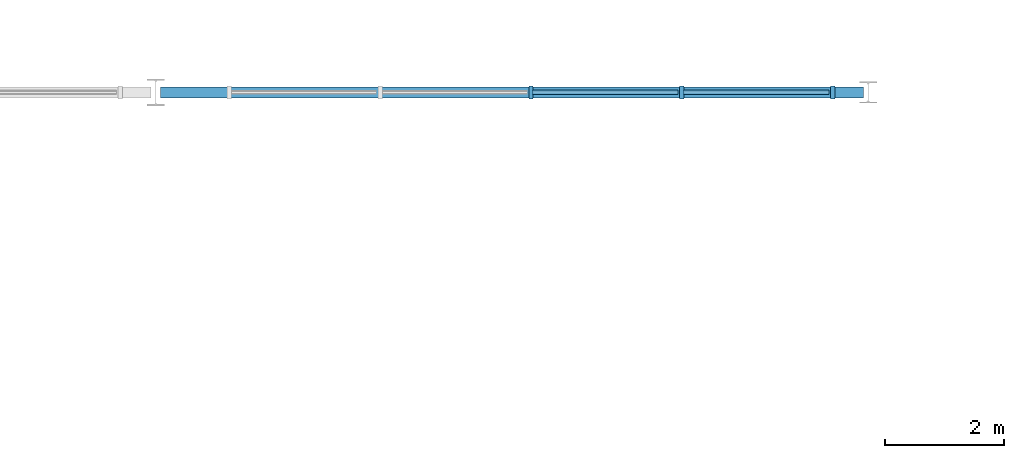
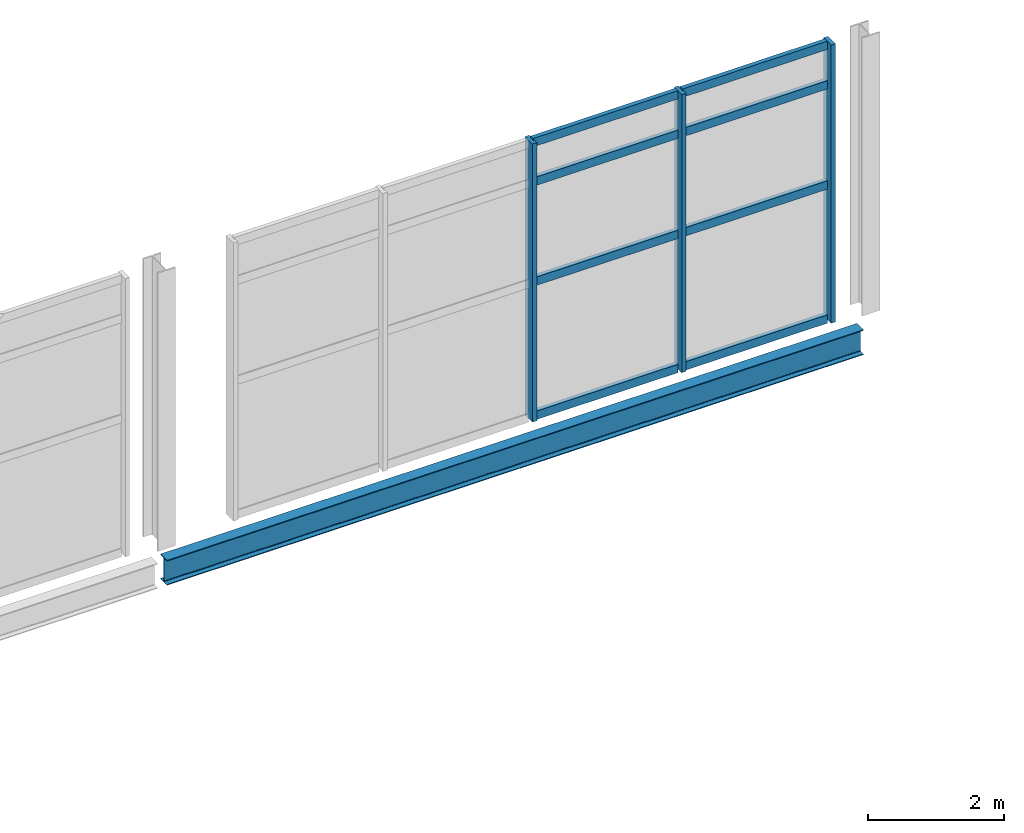
# One storey, part 53 of 89: 11 members, 1 beam, 1 element without a shape of its own.
"""IFC4 building model written with IfcOpenShell, lengths in metres."""

from ifc_helpers import new_model, si_unit, direction, frame, origin, origin_2d, place, context, subcontext, project, spatial, rectangle, i_section, extrude, material, material_profile, profile_set, type_object, element, aggregate, save


model = new_model("IFC4")

# Units and contexts
model_context = context("Model", 3, precision=1e-05, world=origin(), true_north=direction((0.0, 1.0)))
body_context = subcontext(model_context, "Body", "Model", "MODEL_VIEW")
ifc_project = project(units=[si_unit("LENGTHUNIT", "METRE"), si_unit("AREAUNIT", "SQUARE_METRE"), si_unit("VOLUMEUNIT", "CUBIC_METRE"), si_unit("PLANEANGLEUNIT", "RADIAN"), si_unit("MASSUNIT", "GRAM", prefix="KILO"), si_unit("THERMODYNAMICTEMPERATUREUNIT", "KELVIN"), si_unit("POWERUNIT", "WATT")], contexts=[model_context])

# Site, building, storey
site_placement = place(None, origin())
site = spatial("IfcSite", under=ifc_project, at=site_placement, CompositionType="ELEMENT")
building_placement = place(site_placement, origin())
building = spatial("IfcBuilding", under=site, at=building_placement, Name="Solmara Park Aquatics Centre", CompositionType="ELEMENT")
storey_placement = place(building_placement, frame((0.0, 0.0, 5.39990234375)))
storey = spatial("IfcBuildingStorey", under=building, at=storey_placement, Name="L01", CompositionType="ELEMENT", Elevation=5.39990234375)

# Curtain wall, members
ifc_material_1 = material(Name="Anodised Aluminium Curtain Wall Framing", Category="aluminium")
curtain_wall_type = type_object("IfcCurtainWallType", Name="ARC-CW-SYS03", PredefinedType="USERDEFINED", material=ifc_material_1)
curtain_wall_placement = place(storey_placement, origin())
curtain_wall = element("IfcCurtainWall", 1, at=curtain_wall_placement, inside=storey, type_object=curtain_wall_type, Name="Curtain Wall CW-123", ObjectType="CURTAIN WALL", PredefinedType="USERDEFINED")
ifc_material_2 = material(Name="Anodised Aluminium Alloy 6063-T6", Category="aluminium")
ifc_material_profile_1 = material_profile(ifc_material_2, rectangle(XDim=0.074951171875, YDim=0.219970703125, at=origin_2d()), Name="ALU MULLION 75x220")
ifc_profile_set_1 = profile_set([ifc_material_profile_1], Name="Anodised Aluminium Alloy 6063-T6")
member_type_1 = type_object("IfcMemberType", Name="ARC-CWM-75x220", PredefinedType="MULLION", material=ifc_profile_set_1)
member_1_placement = place(storey_placement, frame((150.320068359375, 136.0, 0.0), z_axis=(0.0, 0.0, 1.0), x_axis=(1.0, 0.0, 0.0)))
member_1 = element("IfcMember", 2, at=member_1_placement, type_object=member_type_1, Name="CW-123 mullion 3", PredefinedType="MULLION", context=body_context, shape_type="SweptSolid", body=[
    extrude(rectangle(XDim=0.074951171875, YDim=0.219970703125, at=origin_2d()), origin(), (0.0, 0.0, 1.0), 5.0),
])
member_2_placement = place(storey_placement, frame((152.860107421875, 136.0, 0.0), z_axis=(0.0, 0.0, 1.0), x_axis=(1.0, 0.0, 0.0)))
member_2 = element("IfcMember", 3, at=member_2_placement, type_object=member_type_1, Name="CW-123 mullion 4", PredefinedType="MULLION", context=body_context, shape_type="SweptSolid", body=[
    extrude(rectangle(XDim=0.074951171875, YDim=0.219970703125, at=origin_2d()), origin(), (0.0, 0.0, 1.0), 5.0),
])
member_3_placement = place(storey_placement, frame((155.39990234375, 136.0, 0.0), z_axis=(0.0, 0.0, 1.0), x_axis=(1.0, 0.0, 0.0)))
member_3 = element("IfcMember", 4, at=member_3_placement, type_object=member_type_1, Name="CW-123 mullion 5", PredefinedType="MULLION", context=body_context, shape_type="SweptSolid", body=[
    extrude(rectangle(XDim=0.074951171875, YDim=0.219970703125, at=origin_2d()), origin(), (0.0, 0.0, 1.0), 5.0),
])
ifc_material_profile_2 = material_profile(ifc_material_2, rectangle(XDim=0.074951171875, YDim=0.14990234375, at=origin_2d()), Name="ALU TRANSOM 75x150")
ifc_profile_set_2 = profile_set([ifc_material_profile_2], Name="Anodised Aluminium Alloy 6063-T6")
member_type_2 = type_object("IfcMemberType", Name="ARC-CWT-75x150", PredefinedType="USERDEFINED", material=ifc_profile_set_2)
member_4_placement = place(storey_placement, frame((150.340087890625, 136.0, 0.0400390625), z_axis=(1.0, 0.0, 0.0), x_axis=(0.0, 1.0, 0.0)))
member_4 = element("IfcMember", 5, at=member_4_placement, type_object=member_type_2, Name="CW-123 transom 9", ObjectType="TRANSOM", PredefinedType="USERDEFINED", context=body_context, shape_type="SweptSolid", body=[
    extrude(rectangle(XDim=0.074951171875, YDim=0.14990234375, at=origin_2d()), origin(), (0.0, 0.0, 1.0), 2.4599609375),
])
member_5_placement = place(storey_placement, frame((150.340087890625, 136.0, 2.4501953125), z_axis=(1.0, 0.0, 0.0), x_axis=(0.0, 1.0, 0.0)))
member_5 = element("IfcMember", 6, at=member_5_placement, type_object=member_type_2, Name="CW-123 transom 10", ObjectType="TRANSOM", PredefinedType="USERDEFINED", context=body_context, shape_type="SweptSolid", body=[
    extrude(rectangle(XDim=0.074951171875, YDim=0.14990234375, at=origin_2d()), origin(), (0.0, 0.0, 1.0), 2.4599609375),
])
member_6_placement = place(storey_placement, frame((150.340087890625, 136.0, 4.25), z_axis=(1.0, 0.0, 0.0), x_axis=(0.0, 1.0, 0.0)))
member_6 = element("IfcMember", 7, at=member_6_placement, type_object=member_type_2, Name="CW-123 transom 11", ObjectType="TRANSOM", PredefinedType="USERDEFINED", context=body_context, shape_type="SweptSolid", body=[
    extrude(rectangle(XDim=0.074951171875, YDim=0.14990234375, at=origin_2d()), origin(), (0.0, 0.0, 1.0), 2.4599609375),
])
member_7_placement = place(storey_placement, frame((150.340087890625, 136.0, 4.960205078125), z_axis=(1.0, 0.0, 0.0), x_axis=(0.0, 1.0, 0.0)))
member_7 = element("IfcMember", 8, at=member_7_placement, type_object=member_type_2, Name="CW-123 transom 12", ObjectType="TRANSOM", PredefinedType="USERDEFINED", context=body_context, shape_type="SweptSolid", body=[
    extrude(rectangle(XDim=0.074951171875, YDim=0.14990234375, at=origin_2d()), origin(), (0.0, 0.0, 1.0), 2.4599609375),
])
member_8_placement = place(storey_placement, frame((152.8798828125, 136.0, 0.0400390625), z_axis=(1.0, 0.0, 0.0), x_axis=(0.0, 1.0, 0.0)))
member_8 = element("IfcMember", 9, at=member_8_placement, type_object=member_type_2, Name="CW-123 transom 13", ObjectType="TRANSOM", PredefinedType="USERDEFINED", context=body_context, shape_type="SweptSolid", body=[
    extrude(rectangle(XDim=0.074951171875, YDim=0.14990234375, at=origin_2d()), origin(), (0.0, 0.0, 1.0), 2.460205078125),
])
member_9_placement = place(storey_placement, frame((152.8798828125, 136.0, 2.4501953125), z_axis=(1.0, 0.0, 0.0), x_axis=(0.0, 1.0, 0.0)))
member_9 = element("IfcMember", 10, at=member_9_placement, type_object=member_type_2, Name="CW-123 transom 14", ObjectType="TRANSOM", PredefinedType="USERDEFINED", context=body_context, shape_type="SweptSolid", body=[
    extrude(rectangle(XDim=0.074951171875, YDim=0.14990234375, at=origin_2d()), origin(), (0.0, 0.0, 1.0), 2.460205078125),
])
member_10_placement = place(storey_placement, frame((152.8798828125, 136.0, 4.25), z_axis=(1.0, 0.0, 0.0), x_axis=(0.0, 1.0, 0.0)))
member_10 = element("IfcMember", 11, at=member_10_placement, type_object=member_type_2, Name="CW-123 transom 15", ObjectType="TRANSOM", PredefinedType="USERDEFINED", context=body_context, shape_type="SweptSolid", body=[
    extrude(rectangle(XDim=0.074951171875, YDim=0.14990234375, at=origin_2d()), origin(), (0.0, 0.0, 1.0), 2.460205078125),
])
member_11_placement = place(storey_placement, frame((152.8798828125, 136.0, 4.960205078125), z_axis=(1.0, 0.0, 0.0), x_axis=(0.0, 1.0, 0.0)))
member_11 = element("IfcMember", 12, at=member_11_placement, type_object=member_type_2, Name="CW-123 transom 16", ObjectType="TRANSOM", PredefinedType="USERDEFINED", context=body_context, shape_type="SweptSolid", body=[
    extrude(rectangle(XDim=0.074951171875, YDim=0.14990234375, at=origin_2d()), origin(), (0.0, 0.0, 1.0), 2.460205078125),
])
aggregate(curtain_wall, [member_1, member_2, member_3, member_4, member_5, member_6, member_7, member_8, member_9, member_10, member_11])

# Beam
ifc_material_3 = material(Name="Structural Steel S355", Category="steel")
ifc_material_profile_3 = material_profile(ifc_material_3, i_section(OverallWidth=0.18994140625, OverallDepth=0.449951171875, WebThickness=0.009521484375, FlangeThickness=0.0146484375, FilletRadius=0.02099609375, at=origin_2d()), Name="IPE 450")
ifc_profile_set_3 = profile_set([ifc_material_profile_3], Name="Structural Steel S355")
beam_type = type_object("IfcBeamType", Name="STR-BM-IPE450", PredefinedType="BEAM", material=ifc_profile_set_3)
beam_placement = place(storey_placement, frame((144.080078125, 136.0, -0.544921875), z_axis=(1.0, 0.0, 0.0), x_axis=(0.0, 1.0, 0.0)))
element("IfcBeam", 13, at=beam_placement, inside=storey, type_object=beam_type, Name="Girder BM-L01-0346", PredefinedType="BEAM", context=body_context, shape_type="SweptSolid", body=[
    extrude(i_section(OverallWidth=0.18994140625, OverallDepth=0.449951171875, WebThickness=0.009521484375, FlangeThickness=0.0146484375, FilletRadius=0.02099609375, at=origin_2d()), origin(), (0.0, 0.0, 1.0), 11.83984375),
])

save(model, "model.ifc")
